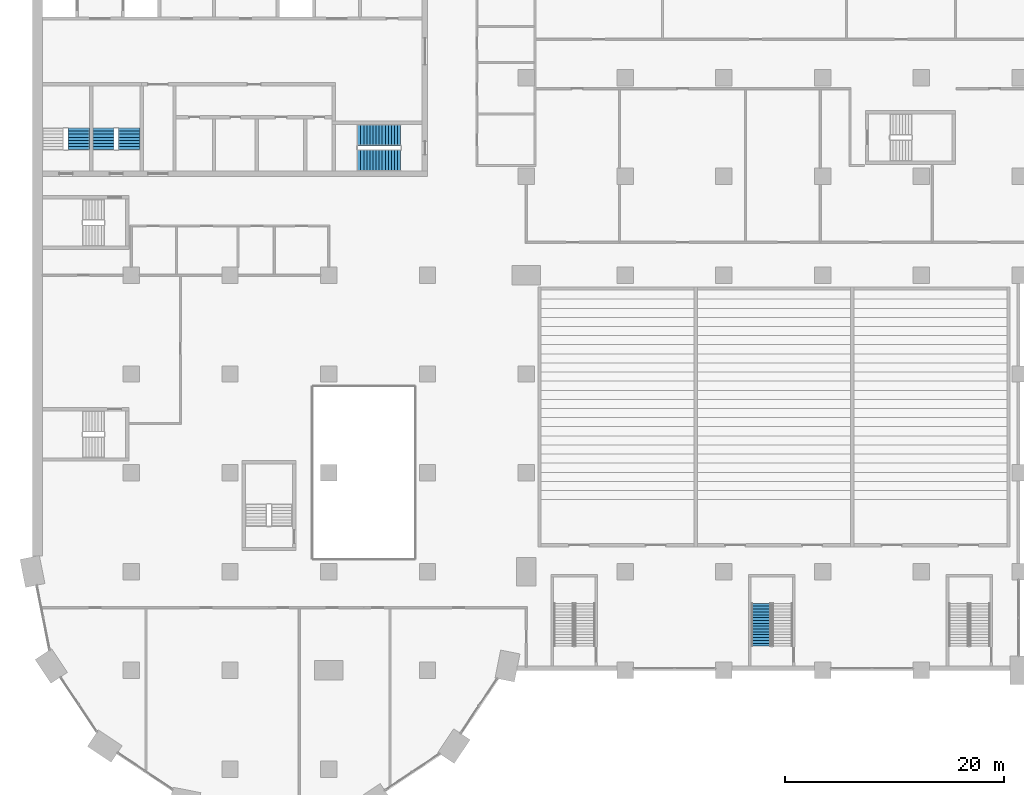
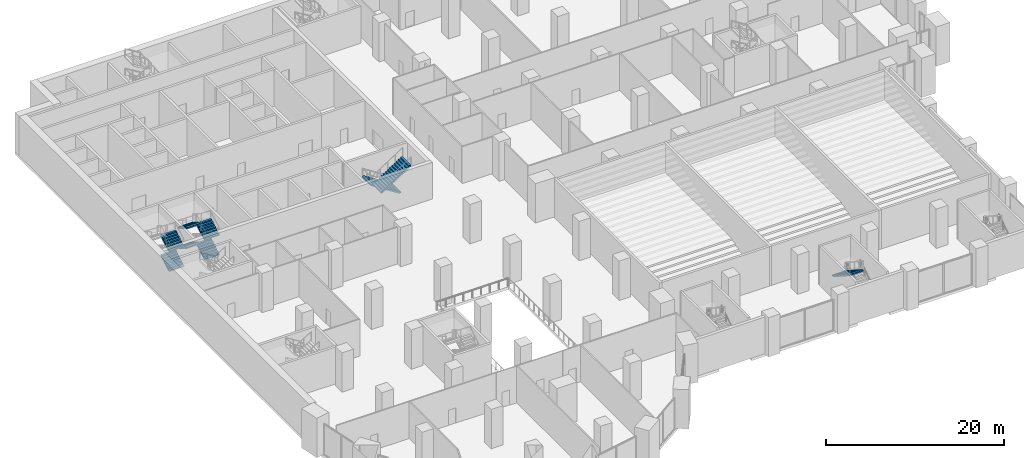
# One storey, part 26 of 44: 9 stair flights, 4 elements without a shape of their own.
"""IFC4 building model written with IfcOpenShell, lengths in metres."""

import ifcopenshell
import ifcopenshell.guid

model = None  # the IFC model being written
_history = None  # IfcOwnerHistory: only IFC2X3 demands one
_inside = {}  # id of a spatial element -> (the spatial element, [elements in it])
_under = {}  # id of a project, library or spatial element -> (it, [spatial elements below it])
_declared = {}  # id of a project -> (the project, [libraries it declares])
_typed = {}  # id of a type object -> (the type object, [elements of that type])
_made_of = {}  # id of a material, layer set ... -> (it, [elements and type objects made of it])


def new_model(schema):
    """Start an empty IFC model of exactly this schema.

    Asked for "IFC4X3", IfcOpenShell would pick the latest addendum, in which some entities
    have other attributes; the version numbers below select the first issue.
    IFC2X3 requires an IfcOwnerHistory on every rooted entity: one is made here for all.
    """
    global model, _history
    if schema == "IFC4X3":
        model = ifcopenshell.file(schema_version=(4, 3, 0, 0))
    else:
        model = ifcopenshell.file(schema=schema)
    _inside.clear()
    _under.clear()
    _declared.clear()
    _typed.clear()
    _made_of.clear()
    _history = None
    if model.schema == "IFC2X3":
        org = make("IfcOrganization", Name="unknown")
        user = make(
            "IfcPersonAndOrganization",
            ThePerson=make("IfcPerson", FamilyName="unknown"),
            TheOrganization=org,
        )
        app = make(
            "IfcApplication",
            ApplicationDeveloper=org,
            Version="unknown",
            ApplicationFullName="unknown",
            ApplicationIdentifier="unknown",
        )
        _history = make(
            "IfcOwnerHistory",
            OwningUser=user,
            OwningApplication=app,
            ChangeAction="ADDED",
            CreationDate=0,
        )
    return model


def make(cls, **values):
    """One entity of the class cls with the attributes given. An attribute that is None is left unset."""
    return model.create_entity(
        cls, **{name: value for name, value in values.items() if value is not None}
    )


def rooted(cls, **values):
    """An entity with a GlobalId (a new one), such as an element, a storey or a relation."""
    return make(cls, GlobalId=ifcopenshell.guid.new(), OwnerHistory=_history, **values)


def si_unit(unit_type, name, prefix=None):
    """IfcSIUnit, for example si_unit("LENGTHUNIT", "METRE", prefix="MILLI")."""
    return make("IfcSIUnit", UnitType=unit_type, Prefix=prefix, Name=name)


def assignment(units):
    """IfcUnitAssignment: the units of a project."""
    return None if units is None else make("IfcUnitAssignment", Units=units)


def point(xyz):
    """IfcCartesianPoint."""
    return None if xyz is None else make("IfcCartesianPoint", Coordinates=xyz)


def direction(xyz):
    """IfcDirection."""
    return None if xyz is None else make("IfcDirection", DirectionRatios=xyz)


def frame(location, z_axis=None, x_axis=None):
    """IfcAxis2Placement3D, a coordinate frame: its origin and axes. An axis left out is left unset."""
    return make(
        "IfcAxis2Placement3D",
        Location=point(location),
        Axis=direction(z_axis),
        RefDirection=direction(x_axis),
    )


def origin():
    """The frame at (0, 0, 0) with its axes left unset."""
    return frame((0.0, 0.0, 0.0))


def place(relative_to, where):
    """IfcLocalPlacement: puts the frame where relative to a parent placement (None: the world)."""
    return make(
        "IfcLocalPlacement", PlacementRelTo=relative_to, RelativePlacement=where
    )


def context(
    kind, dimensions, precision=None, world=None, true_north=None, identifier=None
):
    """IfcGeometricRepresentationContext, for example the 3D "Model" context."""
    return make(
        "IfcGeometricRepresentationContext",
        ContextIdentifier=identifier,
        ContextType=kind,
        CoordinateSpaceDimension=dimensions,
        Precision=precision,
        WorldCoordinateSystem=world,
        TrueNorth=true_north,
    )


def subcontext(parent, identifier, kind, view, scale=None):
    """IfcGeometricRepresentationSubContext, for example "Body" below "Model"."""
    return make(
        "IfcGeometricRepresentationSubContext",
        ContextIdentifier=identifier,
        ContextType=kind,
        ParentContext=parent,
        TargetScale=scale,
        TargetView=view,
    )


def project(units=None, contexts=None):
    """IfcProject with its units and contexts."""
    return rooted(
        "IfcProject",
        Name="project",
        RepresentationContexts=contexts,
        UnitsInContext=assignment(units),
    )


def spatial(cls, under=None, at=None, **own):
    """A site, building, storey or space (cls), placed at a placement, below another one or the project."""
    s = rooted(cls, ObjectPlacement=at, **own)
    if under is not None:
        _under.setdefault(under.id(), (under, []))[1].append(s)
    return s


def polyline(points):
    """IfcPolyline through the points."""
    return make("IfcPolyline", Points=[point(p) for p in points])


def outline(outer, holes=None, kind="AREA"):
    """IfcArbitraryClosedProfileDef: a profile drawn as a closed curve; with holes, ...WithVoids."""
    if holes is None:
        return make("IfcArbitraryClosedProfileDef", ProfileType=kind, OuterCurve=outer)
    return make(
        "IfcArbitraryProfileDefWithVoids",
        ProfileType=kind,
        OuterCurve=outer,
        InnerCurves=holes,
    )


def extrude(swept, where, along, depth):
    """IfcExtrudedAreaSolid: the profile swept, set in the frame where, extruded along a direction by depth."""
    return make(
        "IfcExtrudedAreaSolid",
        SweptArea=swept,
        Position=where,
        ExtrudedDirection=direction(along),
        Depth=depth,
    )


def shape(context_of_items, identifier, shape_type, items):
    """IfcShapeRepresentation: the items that make up one representation, for example the "Body"."""
    return make(
        "IfcShapeRepresentation",
        ContextOfItems=context_of_items,
        RepresentationIdentifier=identifier,
        RepresentationType=shape_type,
        Items=items,
    )


def material(Name=None, Category=None):
    """IfcMaterial."""
    return make("IfcMaterial", Name=Name, Category=Category)


def made_of(thing, what):
    """Note that an element or type object is made of a material, layer set ...; save() writes the relation."""
    if what is not None:
        _made_of.setdefault(what.id(), (what, []))[1].append(thing)
    return thing


def type_object(cls, material=None, **own):
    """A type object (cls), such as IfcWallType, which elements share."""
    return made_of(rooted(cls, **own), material)


def element(
    cls,
    number,
    at=None,
    inside=None,
    cuts=None,
    type_object=None,
    material=None,
    context=None,
    identifier="Body",
    shape_type=None,
    held_by="IfcProductDefinitionShape",
    body=None,
    shapes=None,
    **own,
):
    """One element of the class cls, such as IfcWall. Its Tag is "e" and its number.

    at: its placement. inside: the storey or other place that contains it. cuts: it is an
    opening in that element (IfcRelVoidsElement). A single representation is given by context,
    identifier, shape_type and body (its items); several are given by shapes. held_by: the class
    of the entity that holds the representations. save() writes the other relations.
    """
    e = rooted(cls, Tag="e%d" % number, ObjectPlacement=at, **own)
    if body is not None:
        shapes = [shape(context, identifier, shape_type, body)]
    if shapes is not None:
        e.Representation = make(held_by, Representations=shapes)
    if inside is not None:
        _inside.setdefault(inside.id(), (inside, []))[1].append(e)
    if cuts is not None:
        rooted(
            "IfcRelVoidsElement", RelatingBuildingElement=cuts, RelatedOpeningElement=e
        )
    if type_object is not None:
        _typed.setdefault(type_object.id(), (type_object, []))[1].append(e)
    return made_of(e, material)


def aggregate(whole, parts):
    """IfcRelAggregates: a whole, such as a stair, and the parts it consists of."""
    return rooted("IfcRelAggregates", RelatingObject=whole, RelatedObjects=parts)


def save(model, path):
    """Write the relations noted so far, then the file.

    IfcRelAggregates (storeys below a building ...), IfcRelContainedInSpatialStructure (elements
    in a storey), IfcRelDefinesByType, IfcRelAssociatesMaterial and IfcRelDeclares: one each for
    every whole, place, type object, material and project.
    """
    for whole, parts in _under.values():
        aggregate(whole, parts)
    for where, things in _inside.values():
        rooted(
            "IfcRelContainedInSpatialStructure",
            RelatedElements=things,
            RelatingStructure=where,
        )
    for kind, things in _typed.values():
        rooted("IfcRelDefinesByType", RelatedObjects=things, RelatingType=kind)
    for what, things in _made_of.values():
        rooted("IfcRelAssociatesMaterial", RelatedObjects=things, RelatingMaterial=what)
    for by, libraries in _declared.values():
        rooted("IfcRelDeclares", RelatingContext=by, RelatedDefinitions=libraries)
    model.write(path)


model = new_model("IFC4")

# Units and contexts
model_context = context("Model", 3, precision=1e-05, world=origin(), true_north=direction((0.0, 1.0)))
body_context = subcontext(model_context, "Body", "Model", "MODEL_VIEW")
ifc_project = project(units=[si_unit("LENGTHUNIT", "METRE"), si_unit("AREAUNIT", "SQUARE_METRE"), si_unit("VOLUMEUNIT", "CUBIC_METRE"), si_unit("PLANEANGLEUNIT", "RADIAN"), si_unit("MASSUNIT", "GRAM", prefix="KILO")], contexts=[model_context])

# Site, building, storey
site_placement = place(None, origin())
site = spatial("IfcSite", under=ifc_project, at=site_placement, CompositionType="ELEMENT")
building_placement = place(site_placement, origin())
building = spatial("IfcBuilding", under=site, at=building_placement, Name="Hunhe Ridgeline Campus", CompositionType="ELEMENT")
storey_placement = place(building_placement, frame((0.0, 0.0, 6.0)))
storey = spatial("IfcBuildingStorey", under=building, at=storey_placement, Name="L01", CompositionType="ELEMENT", Elevation=6.0)

# Stair, stair flight
ifc_material = material(Name="Concrete C40", Category="concrete")
stair_type_1 = type_object("IfcStairType", Name="Podium exit stair 1800", PredefinedType="HALF_TURN_STAIR", material=ifc_material)
stair_1_placement = place(storey_placement, origin())
stair_1 = element("IfcStair", 1, at=stair_1_placement, inside=storey, type_object=stair_type_1, Name="L01 podium stair PS2", PredefinedType="HALF_TURN_STAIR")
stair_flight_type_1 = type_object("IfcStairFlightType", Name="Podium stair flight 1800", PredefinedType="STRAIGHT", material=ifc_material)
stair_flight_1_placement = place(storey_placement, frame((66.39990234375, 24.10009765625, 2.699951171875), z_axis=(0.0, 0.0, 1.0), x_axis=(0.0, -1.0, 0.0)))
stair_flight_1 = element("IfcStairFlight", 2, at=stair_flight_1_placement, type_object=stair_flight_type_1, Name="PS2 flight 2", NumberOfRisers=16, NumberOfTreads=15, PredefinedType="STRAIGHT", RiserHeight=0.16875, TreadLength=0.26, context=body_context, shape_type="SweptSolid", body=[
    extrude(outline(polyline([(0.0, 0.0), (0.0, 0.168701171875), (0.260009765625, 0.168701171875), (0.260009765625, 0.33740234375), (0.52001953125, 0.33740234375), (0.52001953125, 0.50634765625), (0.780029296875, 0.50634765625), (0.780029296875, 0.675048828125), (1.0400390625, 0.675048828125), (1.0400390625, 0.84375), (1.300048828125, 0.84375), (1.300048828125, 1.012451171875), (1.56005859375, 1.012451171875), (1.56005859375, 1.18115234375), (1.820068359375, 1.18115234375), (1.820068359375, 1.35009765625), (2.080078125, 1.35009765625), (2.080078125, 1.518798828125), (2.340087890625, 1.518798828125), (2.340087890625, 1.6875), (2.60009765625, 1.6875), (2.60009765625, 1.856201171875), (2.860107421875, 1.856201171875), (2.860107421875, 2.02490234375), (3.1201171875, 2.02490234375), (3.1201171875, 2.19384765625), (3.3798828125, 2.19384765625), (3.3798828125, 2.362548828125), (3.639892578125, 2.362548828125), (3.639892578125, 2.53125), (3.89990234375, 2.53125), (3.89990234375, 2.699951171875), (3.89990234375, 2.3525390625), (0.275390625, 0.0), (0.0, 0.0)])), frame((0.0, 0.89990234375, 0.0), z_axis=(0.0, -1.0, 0.0), x_axis=(1.0, 0.0, 0.0)), (0.0, 0.0, 1.0), 1.800048828125),
])
aggregate(stair_1, [stair_flight_1])

# Stair, stair flights
stair_type_2 = type_object("IfcStairType", Name="Reinforced concrete dog-leg stair 1950 Concrete C40", PredefinedType="HALF_TURN_STAIR", material=ifc_material)
stair_2_placement = place(storey_placement, origin())
stair_2 = element("IfcStair", 3, at=stair_2_placement, inside=storey, type_object=stair_type_2, Name="L01 S2", PredefinedType="HALF_TURN_STAIR")
stair_flight_type_2 = type_object("IfcStairFlightType", Name="Reinforced concrete stair flight 1950 Concrete C40", PredefinedType="STRAIGHT", material=ifc_material)
stair_flight_2_placement = place(storey_placement, frame((33.550048828125, 66.77490234375, 0.0), z_axis=(0.0, 0.0, 1.0), x_axis=(-1.0, 0.0, 0.0)))
stair_flight_2 = element("IfcStairFlight", 4, at=stair_flight_2_placement, type_object=stair_flight_type_2, Name="ST2 flight 1", NumberOfRisers=15, NumberOfTreads=14, PredefinedType="STRAIGHT", RiserHeight=0.18, TreadLength=0.28, context=body_context, shape_type="SweptSolid", body=[
    extrude(outline(polyline([(0.0, 0.0), (0.0, 0.179931640625), (0.280029296875, 0.179931640625), (0.280029296875, 0.360107421875), (0.56005859375, 0.360107421875), (0.56005859375, 0.5400390625), (0.840087890625, 0.5400390625), (0.840087890625, 0.719970703125), (1.1201171875, 0.719970703125), (1.1201171875, 0.89990234375), (1.39990234375, 0.89990234375), (1.39990234375, 1.080078125), (1.679931640625, 1.080078125), (1.679931640625, 1.260009765625), (1.9599609375, 1.260009765625), (1.9599609375, 1.43994140625), (2.239990234375, 1.43994140625), (2.239990234375, 1.6201171875), (2.52001953125, 1.6201171875), (2.52001953125, 1.800048828125), (2.800048828125, 1.800048828125), (2.800048828125, 1.97998046875), (3.080078125, 1.97998046875), (3.080078125, 2.159912109375), (3.360107421875, 2.159912109375), (3.360107421875, 2.340087890625), (3.639892578125, 2.340087890625), (3.639892578125, 2.52001953125), (3.919921875, 2.52001953125), (3.919921875, 2.699951171875), (3.919921875, 2.341796875), (0.277099609375, 0.0), (0.0, 0.0)])), frame((0.0, 0.97509765625, 0.0), z_axis=(0.0, -1.0, 0.0), x_axis=(1.0, 0.0, 0.0)), (0.0, 0.0, 1.0), 1.949951171875),
    extrude(outline(polyline([(0.030029296875, 0.030029296875), (0.030029296875, 0.14990234375), (0.31005859375, 0.14990234375), (0.31005859375, 0.330078125), (0.590087890625, 0.330078125), (0.590087890625, 0.510009765625), (0.8701171875, 0.510009765625), (0.8701171875, 0.68994140625), (1.14990234375, 0.68994140625), (1.14990234375, 0.8701171875), (1.429931640625, 0.8701171875), (1.429931640625, 1.050048828125), (1.7099609375, 1.050048828125), (1.7099609375, 1.22998046875), (1.989990234375, 1.22998046875), (1.989990234375, 1.409912109375), (2.27001953125, 1.409912109375), (2.27001953125, 1.590087890625), (2.550048828125, 1.590087890625), (2.550048828125, 1.77001953125), (2.830078125, 1.77001953125), (2.830078125, 1.949951171875), (3.110107421875, 1.949951171875), (3.110107421875, 2.1298828125), (3.389892578125, 2.1298828125), (3.389892578125, 2.31005859375), (3.669921875, 2.31005859375), (3.669921875, 2.489990234375), (3.889892578125, 2.489990234375), (3.889892578125, 2.358154296875), (0.268310546875, 0.030029296875), (0.030029296875, 0.030029296875)])), frame((0.0, -0.070068359375, 0.0), z_axis=(0.0, -1.0, 0.0), x_axis=(1.0, 0.0, 0.0)), (0.0, 0.0, 1.0), 0.019775390625),
    extrude(outline(polyline([(0.030029296875, 0.030029296875), (0.030029296875, 0.14990234375), (0.31005859375, 0.14990234375), (0.31005859375, 0.330078125), (0.590087890625, 0.330078125), (0.590087890625, 0.510009765625), (0.8701171875, 0.510009765625), (0.8701171875, 0.68994140625), (1.14990234375, 0.68994140625), (1.14990234375, 0.8701171875), (1.429931640625, 0.8701171875), (1.429931640625, 1.050048828125), (1.7099609375, 1.050048828125), (1.7099609375, 1.22998046875), (1.989990234375, 1.22998046875), (1.989990234375, 1.409912109375), (2.27001953125, 1.409912109375), (2.27001953125, 1.590087890625), (2.550048828125, 1.590087890625), (2.550048828125, 1.77001953125), (2.830078125, 1.77001953125), (2.830078125, 1.949951171875), (3.110107421875, 1.949951171875), (3.110107421875, 2.1298828125), (3.389892578125, 2.1298828125), (3.389892578125, 2.31005859375), (3.669921875, 2.31005859375), (3.669921875, 2.489990234375), (3.889892578125, 2.489990234375), (3.889892578125, 2.358154296875), (0.268310546875, 0.030029296875), (0.030029296875, 0.030029296875)])), frame((0.0, 0.010009765625, 0.0), z_axis=(0.0, -1.0, 0.0), x_axis=(1.0, 0.0, 0.0)), (0.0, 0.0, 1.0), 0.019775390625),
    extrude(outline(polyline([(0.030029296875, 0.030029296875), (0.030029296875, 0.14990234375), (0.31005859375, 0.14990234375), (0.31005859375, 0.330078125), (0.590087890625, 0.330078125), (0.590087890625, 0.510009765625), (0.8701171875, 0.510009765625), (0.8701171875, 0.68994140625), (1.14990234375, 0.68994140625), (1.14990234375, 0.8701171875), (1.429931640625, 0.8701171875), (1.429931640625, 1.050048828125), (1.7099609375, 1.050048828125), (1.7099609375, 1.22998046875), (1.989990234375, 1.22998046875), (1.989990234375, 1.409912109375), (2.27001953125, 1.409912109375), (2.27001953125, 1.590087890625), (2.550048828125, 1.590087890625), (2.550048828125, 1.77001953125), (2.830078125, 1.77001953125), (2.830078125, 1.949951171875), (3.110107421875, 1.949951171875), (3.110107421875, 2.1298828125), (3.389892578125, 2.1298828125), (3.389892578125, 2.31005859375), (3.669921875, 2.31005859375), (3.669921875, 2.489990234375), (3.889892578125, 2.489990234375), (3.889892578125, 2.358154296875), (0.268310546875, 0.030029296875), (0.030029296875, 0.030029296875)])), frame((0.0, 0.090087890625, 0.0), z_axis=(0.0, -1.0, 0.0), x_axis=(1.0, 0.0, 0.0)), (0.0, 0.0, 1.0), 0.019775390625),
])
stair_flight_3_placement = place(storey_placement, frame((29.6298828125, 64.47509765625, 2.699951171875), z_axis=(0.0, 0.0, 1.0), x_axis=(1.0, 0.0, 0.0)))
stair_flight_3 = element("IfcStairFlight", 5, at=stair_flight_3_placement, type_object=stair_flight_type_2, Name="ST2 flight 2", NumberOfRisers=15, NumberOfTreads=14, PredefinedType="STRAIGHT", RiserHeight=0.18, TreadLength=0.28, context=body_context, shape_type="SweptSolid", body=[
    extrude(outline(polyline([(0.0, 0.0), (0.0, 0.179931640625), (0.280029296875, 0.179931640625), (0.280029296875, 0.360107421875), (0.56005859375, 0.360107421875), (0.56005859375, 0.5400390625), (0.840087890625, 0.5400390625), (0.840087890625, 0.719970703125), (1.1201171875, 0.719970703125), (1.1201171875, 0.89990234375), (1.39990234375, 0.89990234375), (1.39990234375, 1.080078125), (1.679931640625, 1.080078125), (1.679931640625, 1.260009765625), (1.9599609375, 1.260009765625), (1.9599609375, 1.43994140625), (2.239990234375, 1.43994140625), (2.239990234375, 1.6201171875), (2.52001953125, 1.6201171875), (2.52001953125, 1.800048828125), (2.800048828125, 1.800048828125), (2.800048828125, 1.97998046875), (3.080078125, 1.97998046875), (3.080078125, 2.159912109375), (3.360107421875, 2.159912109375), (3.360107421875, 2.340087890625), (3.639892578125, 2.340087890625), (3.639892578125, 2.52001953125), (3.919921875, 2.52001953125), (3.919921875, 2.699951171875), (3.919921875, 2.341796875), (0.277099609375, 0.0), (0.0, 0.0)])), frame((0.0, 0.97509765625, 0.0), z_axis=(0.0, -1.0, 0.0), x_axis=(1.0, 0.0, 0.0)), (0.0, 0.0, 1.0), 1.949951171875),
    extrude(outline(polyline([(0.030029296875, 0.030029296875), (0.030029296875, 0.14990234375), (0.31005859375, 0.14990234375), (0.31005859375, 0.330078125), (0.590087890625, 0.330078125), (0.590087890625, 0.510009765625), (0.8701171875, 0.510009765625), (0.8701171875, 0.68994140625), (1.14990234375, 0.68994140625), (1.14990234375, 0.8701171875), (1.429931640625, 0.8701171875), (1.429931640625, 1.050048828125), (1.7099609375, 1.050048828125), (1.7099609375, 1.22998046875), (1.989990234375, 1.22998046875), (1.989990234375, 1.409912109375), (2.27001953125, 1.409912109375), (2.27001953125, 1.590087890625), (2.550048828125, 1.590087890625), (2.550048828125, 1.77001953125), (2.830078125, 1.77001953125), (2.830078125, 1.949951171875), (3.110107421875, 1.949951171875), (3.110107421875, 2.1298828125), (3.389892578125, 2.1298828125), (3.389892578125, 2.31005859375), (3.669921875, 2.31005859375), (3.669921875, 2.489990234375), (3.889892578125, 2.489990234375), (3.889892578125, 2.358154296875), (0.268310546875, 0.030029296875), (0.030029296875, 0.030029296875)])), frame((0.0, -0.070068359375, 0.0), z_axis=(0.0, -1.0, 0.0), x_axis=(1.0, 0.0, 0.0)), (0.0, 0.0, 1.0), 0.019775390625),
    extrude(outline(polyline([(0.030029296875, 0.030029296875), (0.030029296875, 0.14990234375), (0.31005859375, 0.14990234375), (0.31005859375, 0.330078125), (0.590087890625, 0.330078125), (0.590087890625, 0.510009765625), (0.8701171875, 0.510009765625), (0.8701171875, 0.68994140625), (1.14990234375, 0.68994140625), (1.14990234375, 0.8701171875), (1.429931640625, 0.8701171875), (1.429931640625, 1.050048828125), (1.7099609375, 1.050048828125), (1.7099609375, 1.22998046875), (1.989990234375, 1.22998046875), (1.989990234375, 1.409912109375), (2.27001953125, 1.409912109375), (2.27001953125, 1.590087890625), (2.550048828125, 1.590087890625), (2.550048828125, 1.77001953125), (2.830078125, 1.77001953125), (2.830078125, 1.949951171875), (3.110107421875, 1.949951171875), (3.110107421875, 2.1298828125), (3.389892578125, 2.1298828125), (3.389892578125, 2.31005859375), (3.669921875, 2.31005859375), (3.669921875, 2.489990234375), (3.889892578125, 2.489990234375), (3.889892578125, 2.358154296875), (0.268310546875, 0.030029296875), (0.030029296875, 0.030029296875)])), frame((0.0, 0.010009765625, 0.0), z_axis=(0.0, -1.0, 0.0), x_axis=(1.0, 0.0, 0.0)), (0.0, 0.0, 1.0), 0.019775390625),
    extrude(outline(polyline([(0.030029296875, 0.030029296875), (0.030029296875, 0.14990234375), (0.31005859375, 0.14990234375), (0.31005859375, 0.330078125), (0.590087890625, 0.330078125), (0.590087890625, 0.510009765625), (0.8701171875, 0.510009765625), (0.8701171875, 0.68994140625), (1.14990234375, 0.68994140625), (1.14990234375, 0.8701171875), (1.429931640625, 0.8701171875), (1.429931640625, 1.050048828125), (1.7099609375, 1.050048828125), (1.7099609375, 1.22998046875), (1.989990234375, 1.22998046875), (1.989990234375, 1.409912109375), (2.27001953125, 1.409912109375), (2.27001953125, 1.590087890625), (2.550048828125, 1.590087890625), (2.550048828125, 1.77001953125), (2.830078125, 1.77001953125), (2.830078125, 1.949951171875), (3.110107421875, 1.949951171875), (3.110107421875, 2.1298828125), (3.389892578125, 2.1298828125), (3.389892578125, 2.31005859375), (3.669921875, 2.31005859375), (3.669921875, 2.489990234375), (3.889892578125, 2.489990234375), (3.889892578125, 2.358154296875), (0.268310546875, 0.030029296875), (0.030029296875, 0.030029296875)])), frame((0.0, 0.090087890625, 0.0), z_axis=(0.0, -1.0, 0.0), x_axis=(1.0, 0.0, 0.0)), (0.0, 0.0, 1.0), 0.019775390625),
])
aggregate(stair_2, [stair_flight_2, stair_flight_3])

stair_3_placement = place(storey_placement, origin())
stair_3 = element("IfcStair", 6, at=stair_3_placement, inside=storey, type_object=stair_type_2, Name="L01 S3", PredefinedType="HALF_TURN_STAIR")
stair_flight_4_placement = place(storey_placement, frame((4.22509765625, 65.449951171875, 0.0), z_axis=(0.0, 0.0, 1.0), x_axis=(0.0, 1.0, 0.0)))
stair_flight_4 = element("IfcStairFlight", 7, at=stair_flight_4_placement, type_object=stair_flight_type_2, Name="ST3 flight 1", NumberOfRisers=8, NumberOfTreads=7, PredefinedType="STRAIGHT", RiserHeight=0.16875, TreadLength=0.28, context=body_context, shape_type="SweptSolid", body=[
    extrude(outline(polyline([(0.0, 0.0), (0.0, 0.168701171875), (0.280029296875, 0.168701171875), (0.280029296875, 0.33740234375), (0.56005859375, 0.33740234375), (0.56005859375, 0.50634765625), (0.840087890625, 0.50634765625), (0.840087890625, 0.675048828125), (1.1201171875, 0.675048828125), (1.1201171875, 0.84375), (1.39990234375, 0.84375), (1.39990234375, 1.012451171875), (1.679931640625, 1.012451171875), (1.679931640625, 1.18115234375), (1.9599609375, 1.18115234375), (1.9599609375, 1.35009765625), (1.9599609375, 1.00634765625), (0.29052734375, 0.0), (0.0, 0.0)])), frame((0.0, 0.97509765625, 0.0), z_axis=(0.0, -1.0, 0.0), x_axis=(1.0, 0.0, 0.0)), (0.0, 0.0, 1.0), 1.949951171875),
    extrude(outline(polyline([(0.030029296875, 0.030029296875), (0.030029296875, 0.138916015625), (0.31005859375, 0.138916015625), (0.31005859375, 0.3076171875), (0.590087890625, 0.3076171875), (0.590087890625, 0.476318359375), (0.8701171875, 0.476318359375), (0.8701171875, 0.64501953125), (1.14990234375, 0.64501953125), (1.14990234375, 0.813720703125), (1.429931640625, 0.813720703125), (1.429931640625, 0.982421875), (1.7099609375, 0.982421875), (1.7099609375, 1.1513671875), (1.929931640625, 1.1513671875), (1.929931640625, 1.023193359375), (0.281982421875, 0.030029296875), (0.030029296875, 0.030029296875)])), frame((0.0, -0.070068359375, 0.0), z_axis=(0.0, -1.0, 0.0), x_axis=(1.0, 0.0, 0.0)), (0.0, 0.0, 1.0), 0.019775390625),
    extrude(outline(polyline([(0.030029296875, 0.030029296875), (0.030029296875, 0.138916015625), (0.31005859375, 0.138916015625), (0.31005859375, 0.3076171875), (0.590087890625, 0.3076171875), (0.590087890625, 0.476318359375), (0.8701171875, 0.476318359375), (0.8701171875, 0.64501953125), (1.14990234375, 0.64501953125), (1.14990234375, 0.813720703125), (1.429931640625, 0.813720703125), (1.429931640625, 0.982421875), (1.7099609375, 0.982421875), (1.7099609375, 1.1513671875), (1.929931640625, 1.1513671875), (1.929931640625, 1.023193359375), (0.281982421875, 0.030029296875), (0.030029296875, 0.030029296875)])), frame((0.0, 0.010009765625, 0.0), z_axis=(0.0, -1.0, 0.0), x_axis=(1.0, 0.0, 0.0)), (0.0, 0.0, 1.0), 0.019775390625),
    extrude(outline(polyline([(0.030029296875, 0.030029296875), (0.030029296875, 0.138916015625), (0.31005859375, 0.138916015625), (0.31005859375, 0.3076171875), (0.590087890625, 0.3076171875), (0.590087890625, 0.476318359375), (0.8701171875, 0.476318359375), (0.8701171875, 0.64501953125), (1.14990234375, 0.64501953125), (1.14990234375, 0.813720703125), (1.429931640625, 0.813720703125), (1.429931640625, 0.982421875), (1.7099609375, 0.982421875), (1.7099609375, 1.1513671875), (1.929931640625, 1.1513671875), (1.929931640625, 1.023193359375), (0.281982421875, 0.030029296875), (0.030029296875, 0.030029296875)])), frame((0.0, 0.090087890625, 0.0), z_axis=(0.0, -1.0, 0.0), x_axis=(1.0, 0.0, 0.0)), (0.0, 0.0, 1.0), 0.019775390625),
])
stair_flight_5_placement = place(storey_placement, frame((4.22509765625, 65.449951171875, 2.699951171875), z_axis=(0.0, 0.0, 1.0), x_axis=(0.0, 1.0, 0.0)))
stair_flight_5 = element("IfcStairFlight", 8, at=stair_flight_5_placement, type_object=stair_flight_type_2, Name="ST3 flight 3", NumberOfRisers=8, NumberOfTreads=7, PredefinedType="STRAIGHT", RiserHeight=0.16875, TreadLength=0.28, context=body_context, shape_type="SweptSolid", body=[
    extrude(outline(polyline([(0.0, 0.0), (0.0, 0.168701171875), (0.280029296875, 0.168701171875), (0.280029296875, 0.33740234375), (0.56005859375, 0.33740234375), (0.56005859375, 0.50634765625), (0.840087890625, 0.50634765625), (0.840087890625, 0.675048828125), (1.1201171875, 0.675048828125), (1.1201171875, 0.84375), (1.39990234375, 0.84375), (1.39990234375, 1.012451171875), (1.679931640625, 1.012451171875), (1.679931640625, 1.18115234375), (1.9599609375, 1.18115234375), (1.9599609375, 1.35009765625), (1.9599609375, 1.00634765625), (0.29052734375, 0.0), (0.0, 0.0)])), frame((0.0, 0.97509765625, 0.0), z_axis=(0.0, -1.0, 0.0), x_axis=(1.0, 0.0, 0.0)), (0.0, 0.0, 1.0), 1.949951171875),
    extrude(outline(polyline([(0.030029296875, 0.030029296875), (0.030029296875, 0.138916015625), (0.31005859375, 0.138916015625), (0.31005859375, 0.3076171875), (0.590087890625, 0.3076171875), (0.590087890625, 0.476318359375), (0.8701171875, 0.476318359375), (0.8701171875, 0.64501953125), (1.14990234375, 0.64501953125), (1.14990234375, 0.813720703125), (1.429931640625, 0.813720703125), (1.429931640625, 0.982421875), (1.7099609375, 0.982421875), (1.7099609375, 1.1513671875), (1.929931640625, 1.1513671875), (1.929931640625, 1.023193359375), (0.281982421875, 0.030029296875), (0.030029296875, 0.030029296875)])), frame((0.0, -0.070068359375, 0.0), z_axis=(0.0, -1.0, 0.0), x_axis=(1.0, 0.0, 0.0)), (0.0, 0.0, 1.0), 0.019775390625),
    extrude(outline(polyline([(0.030029296875, 0.030029296875), (0.030029296875, 0.138916015625), (0.31005859375, 0.138916015625), (0.31005859375, 0.3076171875), (0.590087890625, 0.3076171875), (0.590087890625, 0.476318359375), (0.8701171875, 0.476318359375), (0.8701171875, 0.64501953125), (1.14990234375, 0.64501953125), (1.14990234375, 0.813720703125), (1.429931640625, 0.813720703125), (1.429931640625, 0.982421875), (1.7099609375, 0.982421875), (1.7099609375, 1.1513671875), (1.929931640625, 1.1513671875), (1.929931640625, 1.023193359375), (0.281982421875, 0.030029296875), (0.030029296875, 0.030029296875)])), frame((0.0, 0.010009765625, 0.0), z_axis=(0.0, -1.0, 0.0), x_axis=(1.0, 0.0, 0.0)), (0.0, 0.0, 1.0), 0.019775390625),
    extrude(outline(polyline([(0.030029296875, 0.030029296875), (0.030029296875, 0.138916015625), (0.31005859375, 0.138916015625), (0.31005859375, 0.3076171875), (0.590087890625, 0.3076171875), (0.590087890625, 0.476318359375), (0.8701171875, 0.476318359375), (0.8701171875, 0.64501953125), (1.14990234375, 0.64501953125), (1.14990234375, 0.813720703125), (1.429931640625, 0.813720703125), (1.429931640625, 0.982421875), (1.7099609375, 0.982421875), (1.7099609375, 1.1513671875), (1.929931640625, 1.1513671875), (1.929931640625, 1.023193359375), (0.281982421875, 0.030029296875), (0.030029296875, 0.030029296875)])), frame((0.0, 0.090087890625, 0.0), z_axis=(0.0, -1.0, 0.0), x_axis=(1.0, 0.0, 0.0)), (0.0, 0.0, 1.0), 0.019775390625),
])
aggregate(stair_3, [stair_flight_4, stair_flight_5])

stair_4_placement = place(storey_placement, origin())
stair_4 = element("IfcStair", 9, at=stair_4_placement, inside=storey, type_object=stair_type_2, Name="L01 S4", PredefinedType="HALF_TURN_STAIR")
stair_flight_6_placement = place(storey_placement, frame((8.824951171875, 65.449951171875, 0.0), z_axis=(0.0, 0.0, 1.0), x_axis=(0.0, 1.0, 0.0)))
stair_flight_6 = element("IfcStairFlight", 10, at=stair_flight_6_placement, type_object=stair_flight_type_2, Name="ST4 flight 1", NumberOfRisers=8, NumberOfTreads=7, PredefinedType="STRAIGHT", RiserHeight=0.16875, TreadLength=0.28, context=body_context, shape_type="SweptSolid", body=[
    extrude(outline(polyline([(0.0, 0.0), (0.0, 0.168701171875), (0.280029296875, 0.168701171875), (0.280029296875, 0.33740234375), (0.56005859375, 0.33740234375), (0.56005859375, 0.50634765625), (0.840087890625, 0.50634765625), (0.840087890625, 0.675048828125), (1.1201171875, 0.675048828125), (1.1201171875, 0.84375), (1.39990234375, 0.84375), (1.39990234375, 1.012451171875), (1.679931640625, 1.012451171875), (1.679931640625, 1.18115234375), (1.9599609375, 1.18115234375), (1.9599609375, 1.35009765625), (1.9599609375, 1.00634765625), (0.29052734375, 0.0), (0.0, 0.0)])), frame((0.0, 0.97509765625, 0.0), z_axis=(0.0, -1.0, 0.0), x_axis=(1.0, 0.0, 0.0)), (0.0, 0.0, 1.0), 1.949951171875),
    extrude(outline(polyline([(0.030029296875, 0.030029296875), (0.030029296875, 0.138916015625), (0.31005859375, 0.138916015625), (0.31005859375, 0.3076171875), (0.590087890625, 0.3076171875), (0.590087890625, 0.476318359375), (0.8701171875, 0.476318359375), (0.8701171875, 0.64501953125), (1.14990234375, 0.64501953125), (1.14990234375, 0.813720703125), (1.429931640625, 0.813720703125), (1.429931640625, 0.982421875), (1.7099609375, 0.982421875), (1.7099609375, 1.1513671875), (1.929931640625, 1.1513671875), (1.929931640625, 1.023193359375), (0.281982421875, 0.030029296875), (0.030029296875, 0.030029296875)])), frame((0.0, -0.070068359375, 0.0), z_axis=(0.0, -1.0, 0.0), x_axis=(1.0, 0.0, 0.0)), (0.0, 0.0, 1.0), 0.019775390625),
    extrude(outline(polyline([(0.030029296875, 0.030029296875), (0.030029296875, 0.138916015625), (0.31005859375, 0.138916015625), (0.31005859375, 0.3076171875), (0.590087890625, 0.3076171875), (0.590087890625, 0.476318359375), (0.8701171875, 0.476318359375), (0.8701171875, 0.64501953125), (1.14990234375, 0.64501953125), (1.14990234375, 0.813720703125), (1.429931640625, 0.813720703125), (1.429931640625, 0.982421875), (1.7099609375, 0.982421875), (1.7099609375, 1.1513671875), (1.929931640625, 1.1513671875), (1.929931640625, 1.023193359375), (0.281982421875, 0.030029296875), (0.030029296875, 0.030029296875)])), frame((0.0, 0.010009765625, 0.0), z_axis=(0.0, -1.0, 0.0), x_axis=(1.0, 0.0, 0.0)), (0.0, 0.0, 1.0), 0.019775390625),
    extrude(outline(polyline([(0.030029296875, 0.030029296875), (0.030029296875, 0.138916015625), (0.31005859375, 0.138916015625), (0.31005859375, 0.3076171875), (0.590087890625, 0.3076171875), (0.590087890625, 0.476318359375), (0.8701171875, 0.476318359375), (0.8701171875, 0.64501953125), (1.14990234375, 0.64501953125), (1.14990234375, 0.813720703125), (1.429931640625, 0.813720703125), (1.429931640625, 0.982421875), (1.7099609375, 0.982421875), (1.7099609375, 1.1513671875), (1.929931640625, 1.1513671875), (1.929931640625, 1.023193359375), (0.281982421875, 0.030029296875), (0.030029296875, 0.030029296875)])), frame((0.0, 0.090087890625, 0.0), z_axis=(0.0, -1.0, 0.0), x_axis=(1.0, 0.0, 0.0)), (0.0, 0.0, 1.0), 0.019775390625),
])
stair_flight_7_placement = place(storey_placement, frame((6.47509765625, 67.409912109375, 1.35009765625), z_axis=(0.0, 0.0, 1.0), x_axis=(0.0, -1.0, 0.0)))
stair_flight_7 = element("IfcStairFlight", 11, at=stair_flight_7_placement, type_object=stair_flight_type_2, Name="ST4 flight 2", NumberOfRisers=8, NumberOfTreads=7, PredefinedType="STRAIGHT", RiserHeight=0.16875, TreadLength=0.28, context=body_context, shape_type="SweptSolid", body=[
    extrude(outline(polyline([(0.0, 0.0), (0.0, 0.168701171875), (0.280029296875, 0.168701171875), (0.280029296875, 0.33740234375), (0.56005859375, 0.33740234375), (0.56005859375, 0.50634765625), (0.840087890625, 0.50634765625), (0.840087890625, 0.675048828125), (1.1201171875, 0.675048828125), (1.1201171875, 0.84375), (1.39990234375, 0.84375), (1.39990234375, 1.012451171875), (1.679931640625, 1.012451171875), (1.679931640625, 1.18115234375), (1.9599609375, 1.18115234375), (1.9599609375, 1.35009765625), (1.9599609375, 1.00634765625), (0.29052734375, 0.0), (0.0, 0.0)])), frame((0.0, 0.97509765625, 0.0), z_axis=(0.0, -1.0, 0.0), x_axis=(1.0, 0.0, 0.0)), (0.0, 0.0, 1.0), 1.949951171875),
    extrude(outline(polyline([(0.030029296875, 0.030029296875), (0.030029296875, 0.138916015625), (0.31005859375, 0.138916015625), (0.31005859375, 0.3076171875), (0.590087890625, 0.3076171875), (0.590087890625, 0.476318359375), (0.8701171875, 0.476318359375), (0.8701171875, 0.64501953125), (1.14990234375, 0.64501953125), (1.14990234375, 0.813720703125), (1.429931640625, 0.813720703125), (1.429931640625, 0.982421875), (1.7099609375, 0.982421875), (1.7099609375, 1.1513671875), (1.929931640625, 1.1513671875), (1.929931640625, 1.023193359375), (0.281982421875, 0.030029296875), (0.030029296875, 0.030029296875)])), frame((0.0, -0.070068359375, 0.0), z_axis=(0.0, -1.0, 0.0), x_axis=(1.0, 0.0, 0.0)), (0.0, 0.0, 1.0), 0.019775390625),
    extrude(outline(polyline([(0.030029296875, 0.030029296875), (0.030029296875, 0.138916015625), (0.31005859375, 0.138916015625), (0.31005859375, 0.3076171875), (0.590087890625, 0.3076171875), (0.590087890625, 0.476318359375), (0.8701171875, 0.476318359375), (0.8701171875, 0.64501953125), (1.14990234375, 0.64501953125), (1.14990234375, 0.813720703125), (1.429931640625, 0.813720703125), (1.429931640625, 0.982421875), (1.7099609375, 0.982421875), (1.7099609375, 1.1513671875), (1.929931640625, 1.1513671875), (1.929931640625, 1.023193359375), (0.281982421875, 0.030029296875), (0.030029296875, 0.030029296875)])), frame((0.0, 0.010009765625, 0.0), z_axis=(0.0, -1.0, 0.0), x_axis=(1.0, 0.0, 0.0)), (0.0, 0.0, 1.0), 0.019775390625),
    extrude(outline(polyline([(0.030029296875, 0.030029296875), (0.030029296875, 0.138916015625), (0.31005859375, 0.138916015625), (0.31005859375, 0.3076171875), (0.590087890625, 0.3076171875), (0.590087890625, 0.476318359375), (0.8701171875, 0.476318359375), (0.8701171875, 0.64501953125), (1.14990234375, 0.64501953125), (1.14990234375, 0.813720703125), (1.429931640625, 0.813720703125), (1.429931640625, 0.982421875), (1.7099609375, 0.982421875), (1.7099609375, 1.1513671875), (1.929931640625, 1.1513671875), (1.929931640625, 1.023193359375), (0.281982421875, 0.030029296875), (0.030029296875, 0.030029296875)])), frame((0.0, 0.090087890625, 0.0), z_axis=(0.0, -1.0, 0.0), x_axis=(1.0, 0.0, 0.0)), (0.0, 0.0, 1.0), 0.019775390625),
])
stair_flight_8_placement = place(storey_placement, frame((8.824951171875, 65.449951171875, 2.699951171875), z_axis=(0.0, 0.0, 1.0), x_axis=(0.0, 1.0, 0.0)))
stair_flight_8 = element("IfcStairFlight", 12, at=stair_flight_8_placement, type_object=stair_flight_type_2, Name="ST4 flight 3", NumberOfRisers=8, NumberOfTreads=7, PredefinedType="STRAIGHT", RiserHeight=0.16875, TreadLength=0.28, context=body_context, shape_type="SweptSolid", body=[
    extrude(outline(polyline([(0.0, 0.0), (0.0, 0.168701171875), (0.280029296875, 0.168701171875), (0.280029296875, 0.33740234375), (0.56005859375, 0.33740234375), (0.56005859375, 0.50634765625), (0.840087890625, 0.50634765625), (0.840087890625, 0.675048828125), (1.1201171875, 0.675048828125), (1.1201171875, 0.84375), (1.39990234375, 0.84375), (1.39990234375, 1.012451171875), (1.679931640625, 1.012451171875), (1.679931640625, 1.18115234375), (1.9599609375, 1.18115234375), (1.9599609375, 1.35009765625), (1.9599609375, 1.00634765625), (0.29052734375, 0.0), (0.0, 0.0)])), frame((0.0, 0.97509765625, 0.0), z_axis=(0.0, -1.0, 0.0), x_axis=(1.0, 0.0, 0.0)), (0.0, 0.0, 1.0), 1.949951171875),
    extrude(outline(polyline([(0.030029296875, 0.030029296875), (0.030029296875, 0.138916015625), (0.31005859375, 0.138916015625), (0.31005859375, 0.3076171875), (0.590087890625, 0.3076171875), (0.590087890625, 0.476318359375), (0.8701171875, 0.476318359375), (0.8701171875, 0.64501953125), (1.14990234375, 0.64501953125), (1.14990234375, 0.813720703125), (1.429931640625, 0.813720703125), (1.429931640625, 0.982421875), (1.7099609375, 0.982421875), (1.7099609375, 1.1513671875), (1.929931640625, 1.1513671875), (1.929931640625, 1.023193359375), (0.281982421875, 0.030029296875), (0.030029296875, 0.030029296875)])), frame((0.0, -0.070068359375, 0.0), z_axis=(0.0, -1.0, 0.0), x_axis=(1.0, 0.0, 0.0)), (0.0, 0.0, 1.0), 0.019775390625),
    extrude(outline(polyline([(0.030029296875, 0.030029296875), (0.030029296875, 0.138916015625), (0.31005859375, 0.138916015625), (0.31005859375, 0.3076171875), (0.590087890625, 0.3076171875), (0.590087890625, 0.476318359375), (0.8701171875, 0.476318359375), (0.8701171875, 0.64501953125), (1.14990234375, 0.64501953125), (1.14990234375, 0.813720703125), (1.429931640625, 0.813720703125), (1.429931640625, 0.982421875), (1.7099609375, 0.982421875), (1.7099609375, 1.1513671875), (1.929931640625, 1.1513671875), (1.929931640625, 1.023193359375), (0.281982421875, 0.030029296875), (0.030029296875, 0.030029296875)])), frame((0.0, 0.010009765625, 0.0), z_axis=(0.0, -1.0, 0.0), x_axis=(1.0, 0.0, 0.0)), (0.0, 0.0, 1.0), 0.019775390625),
    extrude(outline(polyline([(0.030029296875, 0.030029296875), (0.030029296875, 0.138916015625), (0.31005859375, 0.138916015625), (0.31005859375, 0.3076171875), (0.590087890625, 0.3076171875), (0.590087890625, 0.476318359375), (0.8701171875, 0.476318359375), (0.8701171875, 0.64501953125), (1.14990234375, 0.64501953125), (1.14990234375, 0.813720703125), (1.429931640625, 0.813720703125), (1.429931640625, 0.982421875), (1.7099609375, 0.982421875), (1.7099609375, 1.1513671875), (1.929931640625, 1.1513671875), (1.929931640625, 1.023193359375), (0.281982421875, 0.030029296875), (0.030029296875, 0.030029296875)])), frame((0.0, 0.090087890625, 0.0), z_axis=(0.0, -1.0, 0.0), x_axis=(1.0, 0.0, 0.0)), (0.0, 0.0, 1.0), 0.019775390625),
])
stair_flight_9_placement = place(storey_placement, frame((6.47509765625, 67.409912109375, 4.050048828125), z_axis=(0.0, 0.0, 1.0), x_axis=(0.0, -1.0, 0.0)))
stair_flight_9 = element("IfcStairFlight", 13, at=stair_flight_9_placement, type_object=stair_flight_type_2, Name="ST4 flight 4", NumberOfRisers=8, NumberOfTreads=7, PredefinedType="STRAIGHT", RiserHeight=0.16875, TreadLength=0.28, context=body_context, shape_type="SweptSolid", body=[
    extrude(outline(polyline([(0.0, 0.0), (0.0, 0.168701171875), (0.280029296875, 0.168701171875), (0.280029296875, 0.33740234375), (0.56005859375, 0.33740234375), (0.56005859375, 0.50634765625), (0.840087890625, 0.50634765625), (0.840087890625, 0.675048828125), (1.1201171875, 0.675048828125), (1.1201171875, 0.84375), (1.39990234375, 0.84375), (1.39990234375, 1.012451171875), (1.679931640625, 1.012451171875), (1.679931640625, 1.18115234375), (1.9599609375, 1.18115234375), (1.9599609375, 1.35009765625), (1.9599609375, 1.00634765625), (0.29052734375, 0.0), (0.0, 0.0)])), frame((0.0, 0.97509765625, 0.0), z_axis=(0.0, -1.0, 0.0), x_axis=(1.0, 0.0, 0.0)), (0.0, 0.0, 1.0), 1.949951171875),
    extrude(outline(polyline([(0.030029296875, 0.030029296875), (0.030029296875, 0.138916015625), (0.31005859375, 0.138916015625), (0.31005859375, 0.3076171875), (0.590087890625, 0.3076171875), (0.590087890625, 0.476318359375), (0.8701171875, 0.476318359375), (0.8701171875, 0.64501953125), (1.14990234375, 0.64501953125), (1.14990234375, 0.813720703125), (1.429931640625, 0.813720703125), (1.429931640625, 0.982421875), (1.7099609375, 0.982421875), (1.7099609375, 1.1513671875), (1.929931640625, 1.1513671875), (1.929931640625, 1.023193359375), (0.281982421875, 0.030029296875), (0.030029296875, 0.030029296875)])), frame((0.0, -0.070068359375, 0.0), z_axis=(0.0, -1.0, 0.0), x_axis=(1.0, 0.0, 0.0)), (0.0, 0.0, 1.0), 0.019775390625),
    extrude(outline(polyline([(0.030029296875, 0.030029296875), (0.030029296875, 0.138916015625), (0.31005859375, 0.138916015625), (0.31005859375, 0.3076171875), (0.590087890625, 0.3076171875), (0.590087890625, 0.476318359375), (0.8701171875, 0.476318359375), (0.8701171875, 0.64501953125), (1.14990234375, 0.64501953125), (1.14990234375, 0.813720703125), (1.429931640625, 0.813720703125), (1.429931640625, 0.982421875), (1.7099609375, 0.982421875), (1.7099609375, 1.1513671875), (1.929931640625, 1.1513671875), (1.929931640625, 1.023193359375), (0.281982421875, 0.030029296875), (0.030029296875, 0.030029296875)])), frame((0.0, 0.010009765625, 0.0), z_axis=(0.0, -1.0, 0.0), x_axis=(1.0, 0.0, 0.0)), (0.0, 0.0, 1.0), 0.019775390625),
    extrude(outline(polyline([(0.030029296875, 0.030029296875), (0.030029296875, 0.138916015625), (0.31005859375, 0.138916015625), (0.31005859375, 0.3076171875), (0.590087890625, 0.3076171875), (0.590087890625, 0.476318359375), (0.8701171875, 0.476318359375), (0.8701171875, 0.64501953125), (1.14990234375, 0.64501953125), (1.14990234375, 0.813720703125), (1.429931640625, 0.813720703125), (1.429931640625, 0.982421875), (1.7099609375, 0.982421875), (1.7099609375, 1.1513671875), (1.929931640625, 1.1513671875), (1.929931640625, 1.023193359375), (0.281982421875, 0.030029296875), (0.030029296875, 0.030029296875)])), frame((0.0, 0.090087890625, 0.0), z_axis=(0.0, -1.0, 0.0), x_axis=(1.0, 0.0, 0.0)), (0.0, 0.0, 1.0), 0.019775390625),
])
aggregate(stair_4, [stair_flight_6, stair_flight_7, stair_flight_8, stair_flight_9])

save(model, "model.ifc")
